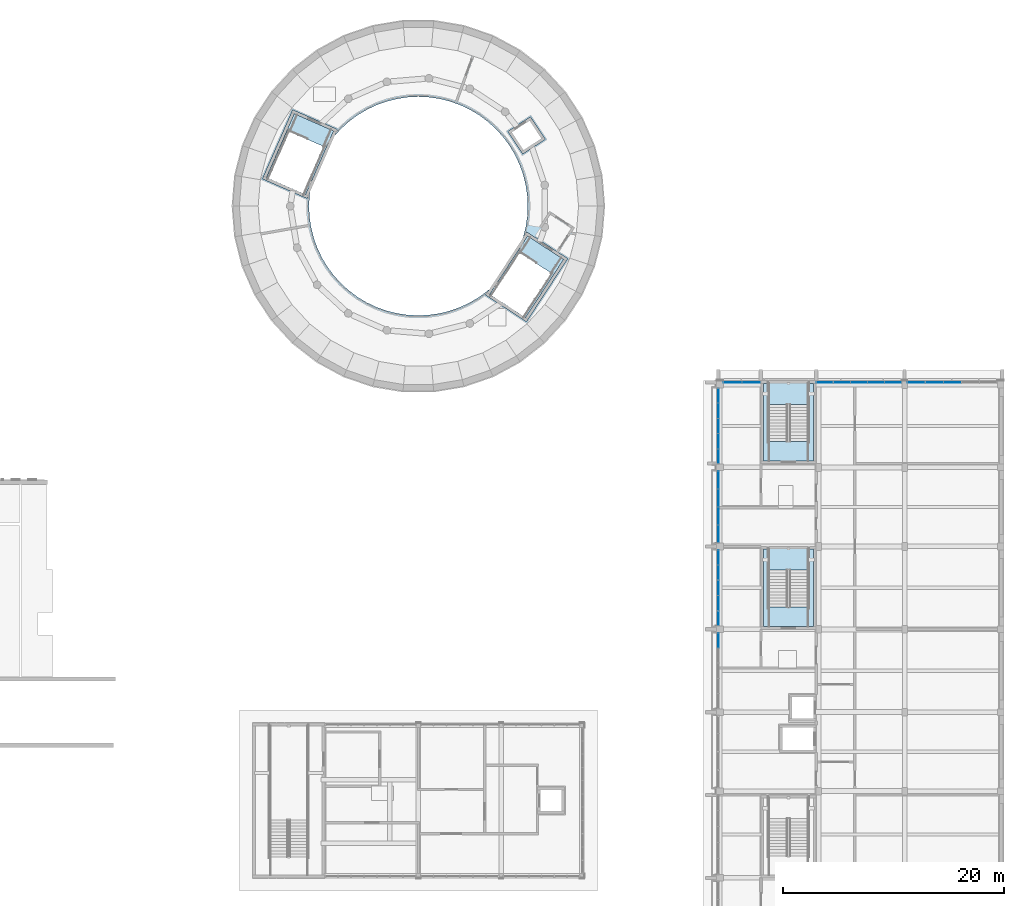
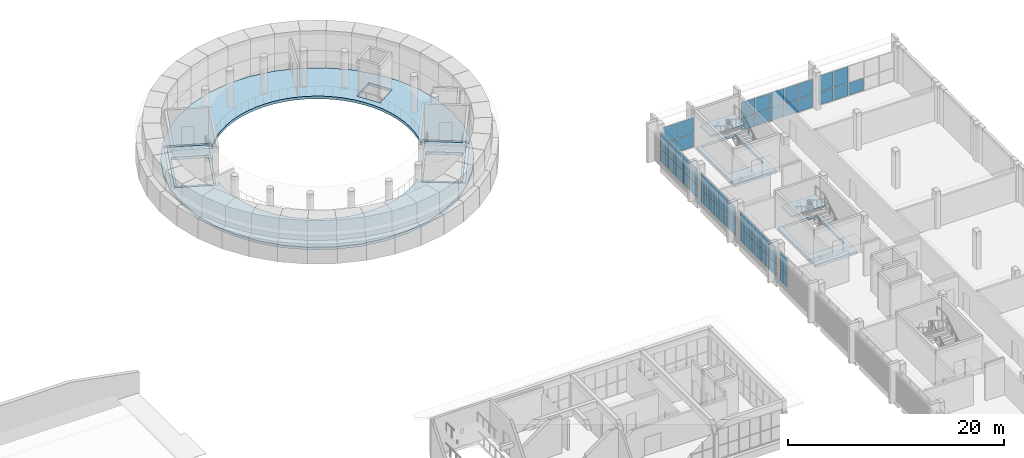
# One storey, part 44 of 92: 49 plates, 7 slabs, 9 elements without a shape of their own.
"""IFC4 building model written with IfcOpenShell, lengths in metres."""

from ifc_helpers import new_model, si_unit, direction, frame, origin, origin_2d, place, context, subcontext, project, spatial, polyline, rectangle, outline, extrude, material, layer, layer_set, type_object, element, aggregate, save


model = new_model("IFC4")

# Units and contexts
model_context = context("Model", 3, precision=1e-05, world=origin(), true_north=direction((0.0, 1.0)))
body_context = subcontext(model_context, "Body", "Model", "MODEL_VIEW")
ifc_project = project(units=[si_unit("LENGTHUNIT", "METRE"), si_unit("AREAUNIT", "SQUARE_METRE"), si_unit("VOLUMEUNIT", "CUBIC_METRE"), si_unit("PLANEANGLEUNIT", "RADIAN"), si_unit("MASSUNIT", "GRAM", prefix="KILO")], contexts=[model_context])

# Site, building, storey
site_placement = place(None, origin())
site = spatial("IfcSite", under=ifc_project, at=site_placement, CompositionType="ELEMENT")
building_placement = place(site_placement, origin())
building = spatial("IfcBuilding", under=site, at=building_placement, Name="Sun Court Science Centre", CompositionType="ELEMENT")
storey_placement = place(building_placement, frame((0.0, 0.0, 11.25)))
storey = spatial("IfcBuildingStorey", under=building, at=storey_placement, Name="L02", CompositionType="ELEMENT", Elevation=11.25)

# Slabs
ifc_material_1 = material(Name="Concrete C25/30", Category="concrete")
ifc_layer_1 = layer(ifc_material_1, 0.300048828125)
ifc_layer_set_1 = layer_set([ifc_layer_1], Name="Concrete C25/30")
slab_type_1 = type_object("IfcSlabType", Name="RC floor slab 300", PredefinedType="FLOOR", material=ifc_layer_set_1)
slab_1_placement = place(storey_placement, frame((0.0, 0.0, -0.300048828125)))
element("IfcSlab", 1, at=slab_1_placement, inside=storey, type_object=slab_type_1, Name="Stair SL3 landing slab L02", PredefinedType="FLOOR", context=body_context, shape_type="SweptSolid", body=[
    extrude(outline(polyline([(82.25, 65.75), (82.25, 58.75), (86.75, 58.75), (86.75, 65.75), (82.25, 65.75)]), holes=[polyline([(86.322998046875, 65.7451171875), (86.322998046875, 60.5029296875), (82.677001953125, 60.5029296875), (82.677001953125, 65.7451171875), (86.322998046875, 65.7451171875)])]), origin(), (0.0, 0.0, 1.0), 0.300048828125),
])
slab_2_placement = place(storey_placement, frame((0.0, 0.0, -0.300048828125)))
element("IfcSlab", 2, at=slab_2_placement, inside=storey, type_object=slab_type_1, Name="Stair SL4 landing slab L02", PredefinedType="FLOOR", context=body_context, shape_type="SweptSolid", body=[
    extrude(outline(polyline([(82.25, 80.75), (82.25, 73.75), (86.75, 73.75), (86.75, 80.75), (82.25, 80.75)]), holes=[polyline([(86.322998046875, 80.7451171875), (86.322998046875, 75.5029296875), (82.677001953125, 75.5029296875), (82.677001953125, 80.7451171875), (86.322998046875, 80.7451171875)])]), origin(), (0.0, 0.0, 1.0), 0.300048828125),
])
slab_3_placement = place(storey_placement, frame((0.0, 0.0, -0.300048828125)))
element("IfcSlab", 3, at=slab_3_placement, inside=storey, type_object=slab_type_1, Name="Floor slab L02", PredefinedType="FLOOR", context=body_context, shape_type="SweptSolid", body=[
    extrude(outline(polyline([(65.300537109375, 94.41357421875), (65.498291015625, 96.800048828125), (65.300537109375, 99.186279296875), (64.712646484375, 101.507568359375), (63.7509765625, 103.700439453125), (62.441162109375, 105.705078125), (60.8193359375, 107.466796875), (58.929931640625, 108.9375), (56.823974609375, 110.0771484375), (54.55908203125, 110.854736328125), (52.197265625, 111.248779296875), (49.802734375, 111.248779296875), (47.44091796875, 110.854736328125), (45.176025390625, 110.0771484375), (43.070068359375, 108.9375), (41.1806640625, 107.466796875), (39.558837890625, 105.705078125), (38.2490234375, 103.700439453125), (37.287353515625, 101.507568359375), (36.699462890625, 99.186279296875), (36.501708984375, 96.800048828125), (36.699462890625, 94.41357421875), (37.287353515625, 92.092529296875), (38.2490234375, 89.899658203125), (39.558837890625, 87.89501953125), (41.1806640625, 86.13330078125), (43.070068359375, 84.66259765625), (45.176025390625, 83.52294921875), (47.44091796875, 82.745361328125), (49.802734375, 82.351318359375), (52.197265625, 82.351318359375), (54.55908203125, 82.745361328125), (56.823974609375, 83.52294921875), (58.929931640625, 84.66259765625), (60.8193359375, 86.13330078125), (62.441162109375, 87.89501953125), (63.7509765625, 89.899658203125), (64.712646484375, 92.092529296875), (65.300537109375, 94.41357421875)]), holes=[polyline([(60.709716796875, 98.7314453125), (60.852294921875, 97.770263671875), (60.89990234375, 96.800048828125), (60.852294921875, 95.82958984375), (60.709716796875, 94.86865234375), (60.475830078125, 93.934814453125), (60.812744140625, 94.450439453125), (64.496337890625, 92.043701171875), (60.777099609375, 86.35107421875), (57.093505859375, 88.757568359375), (57.446044921875, 89.297119140625), (57.280517578125, 89.147216796875), (56.500244140625, 88.568359375), (55.666748046875, 88.069091796875), (54.78857421875, 87.653564453125), (53.873779296875, 87.326171875), (52.931396484375, 87.09033203125), (51.970458984375, 86.94775390625), (51.0, 86.89990234375), (50.029541015625, 86.94775390625), (49.068603515625, 87.09033203125), (48.126220703125, 87.326171875), (47.21142578125, 87.653564453125), (46.333251953125, 88.069091796875), (45.499755859375, 88.568359375), (44.719482421875, 89.147216796875), (43.999755859375, 89.799560546875), (43.34716796875, 90.51953125), (42.7685546875, 91.2998046875), (42.26904296875, 92.133056640625), (41.853515625, 93.011474609375), (41.5263671875, 93.92626953125), (41.290283203125, 94.86865234375), (41.147705078125, 95.82958984375), (41.10009765625, 96.800048828125), (41.147705078125, 97.770263671875), (41.196533203125, 98.100341796875), (40.934326171875, 97.50244140625), (36.905029296875, 99.27001953125), (39.636474609375, 105.497314453125), (43.666015625, 103.729736328125), (43.412841796875, 103.153076171875), (43.999755859375, 103.80029296875), (44.719482421875, 104.452880859375), (45.499755859375, 105.031494140625), (46.333251953125, 105.531005859375), (47.21142578125, 105.9462890625), (48.126220703125, 106.273681640625), (49.068603515625, 106.509765625), (50.029541015625, 106.65234375), (51.0, 106.699951171875), (51.970458984375, 106.65234375), (52.931396484375, 106.509765625), (53.873779296875, 106.273681640625), (54.78857421875, 105.9462890625), (55.666748046875, 105.531005859375), (56.500244140625, 105.031494140625), (57.280517578125, 104.452880859375), (58.000244140625, 103.80029296875), (58.65283203125, 103.08056640625), (59.2314453125, 102.300048828125), (59.73095703125, 101.466796875), (60.146484375, 100.588623046875), (60.4736328125, 99.673828125), (60.709716796875, 98.7314453125)]), polyline([(59.11669921875, 103.55126953125), (61.146728515625, 104.87744140625), (62.47314453125, 102.847412109375), (60.44287109375, 101.52099609375), (59.11669921875, 103.55126953125)])]), origin(), (0.0, 0.0, 1.0), 0.300048828125),
])
slab_4_placement = place(storey_placement, frame((0.0, 0.0, -0.300048828125)))
element("IfcSlab", 4, at=slab_4_placement, inside=storey, type_object=slab_type_1, Name="Stair PS1 landing slab L02", PredefinedType="FLOOR", context=body_context, shape_type="SweptSolid", body=[
    extrude(outline(polyline([(60.88525390625, 94.104248046875), (57.439453125, 88.830078125), (60.704345703125, 86.697021484375), (64.150146484375, 91.97119140625), (60.88525390625, 94.104248046875)]), holes=[polyline([(57.63232421875, 88.710205078125), (60.171142578125, 92.596435546875), (63.05615234375, 90.711669921875), (60.51708984375, 86.825439453125), (57.63232421875, 88.710205078125)])]), origin(), (0.0, 0.0, 1.0), 0.300048828125),
])
slab_5_placement = place(storey_placement, frame((0.0, 0.0, -0.300048828125)))
element("IfcSlab", 5, at=slab_5_placement, inside=storey, type_object=slab_type_1, Name="Stair PS2 landing slab L02", PredefinedType="FLOOR", context=body_context, shape_type="SweptSolid", body=[
    extrude(outline(polyline([(40.805908203125, 97.831787109375), (43.336669921875, 103.601318359375), (39.76513671875, 105.167724609375), (37.234375, 99.3984375), (40.805908203125, 97.831787109375)]), holes=[polyline([(37.4443359375, 99.311767578125), (39.308837890625, 103.56298828125), (42.464599609375, 102.1787109375), (40.60009765625, 97.927490234375), (37.4443359375, 99.311767578125)])]), origin(), (0.0, 0.0, 1.0), 0.300048828125),
])

# Curtain wall, plates
ifc_material_2 = material(Name="Aluminium EN AW-6063 T6", Category="aluminium")
curtain_wall_type = type_object("IfcCurtainWallType", Name="Laboratory tall bay curtain wall 1500", PredefinedType="NOTDEFINED", material=ifc_material_2)
curtain_wall_1_placement = place(storey_placement, origin())
curtain_wall_1 = element("IfcCurtainWall", 6, at=curtain_wall_1_placement, inside=storey, type_object=curtain_wall_type, Name="Curtain wall V4 W L02 06", PredefinedType="NOTDEFINED")
ifc_material_3 = material(Name="Solar-control glass", Category="glass")
ifc_layer_2 = layer(ifc_material_3, 0.028076171875)
ifc_layer_set_2 = layer_set([ifc_layer_2], Name="Solar-control glass")
plate_type = type_object("IfcPlateType", Name="Solar-control glazing panel 8-12-8", PredefinedType="CURTAIN_PANEL", material=ifc_layer_set_2)
plate_1_placement = place(storey_placement, frame((78.14990234375, 57.4951171875, 0.06005859375), z_axis=(0.0, 0.0, 1.0), x_axis=(0.0, 1.0, 0.0)))
plate_1 = element("IfcPlate", 7, at=plate_1_placement, type_object=plate_type, Name="CW2-24 panel 5.1", PredefinedType="CURTAIN_PANEL", context=body_context, shape_type="SweptSolid", body=[
    extrude(rectangle(XDim=1.2900390625, YDim=0.028076171875, at=origin_2d()), origin(), (0.0, 0.0, 1.0), 1.409912109375),
])
plate_2_placement = place(storey_placement, frame((78.14990234375, 57.4951171875, 1.530029296875), z_axis=(0.0, 0.0, 1.0), x_axis=(0.0, 1.0, 0.0)))
plate_2 = element("IfcPlate", 8, at=plate_2_placement, type_object=plate_type, Name="CW2-24 panel 5.2", PredefinedType="CURTAIN_PANEL", context=body_context, shape_type="SweptSolid", body=[
    extrude(rectangle(XDim=1.2900390625, YDim=0.028076171875, at=origin_2d()), origin(), (0.0, 0.0, 1.0), 1.81005859375),
])
aggregate(curtain_wall_1, [plate_1, plate_2])

curtain_wall_2_placement = place(storey_placement, origin())
curtain_wall_2 = element("IfcCurtainWall", 9, at=curtain_wall_2_placement, inside=storey, type_object=curtain_wall_type, Name="Curtain wall V4 W L02 07", PredefinedType="NOTDEFINED")
plate_3_placement = place(storey_placement, frame((78.14990234375, 59.5048828125, 0.06005859375), z_axis=(0.0, 0.0, 1.0), x_axis=(0.0, 1.0, 0.0)))
plate_3 = element("IfcPlate", 10, at=plate_3_placement, type_object=plate_type, Name="CW2-25 panel 1.1", PredefinedType="CURTAIN_PANEL", context=body_context, shape_type="SweptSolid", body=[
    extrude(rectangle(XDim=1.2900390625, YDim=0.028076171875, at=origin_2d()), origin(), (0.0, 0.0, 1.0), 1.409912109375),
])
plate_4_placement = place(storey_placement, frame((78.14990234375, 60.8701171875, 0.06005859375), z_axis=(0.0, 0.0, 1.0), x_axis=(0.0, 1.0, 0.0)))
plate_4 = element("IfcPlate", 11, at=plate_4_placement, type_object=plate_type, Name="CW2-25 panel 2.1", PredefinedType="CURTAIN_PANEL", context=body_context, shape_type="SweptSolid", body=[
    extrude(rectangle(XDim=1.320068359375, YDim=0.028076171875, at=origin_2d()), origin(), (0.0, 0.0, 1.0), 1.409912109375),
])
plate_5_placement = place(storey_placement, frame((78.14990234375, 62.25, 0.06005859375), z_axis=(0.0, 0.0, 1.0), x_axis=(0.0, 1.0, 0.0)))
plate_5 = element("IfcPlate", 12, at=plate_5_placement, type_object=plate_type, Name="CW2-25 panel 3.1", PredefinedType="CURTAIN_PANEL", context=body_context, shape_type="SweptSolid", body=[
    extrude(rectangle(XDim=1.320068359375, YDim=0.028076171875, at=origin_2d()), origin(), (0.0, 0.0, 1.0), 1.409912109375),
])
plate_6_placement = place(storey_placement, frame((78.14990234375, 63.6298828125, 0.06005859375), z_axis=(0.0, 0.0, 1.0), x_axis=(0.0, 1.0, 0.0)))
plate_6 = element("IfcPlate", 13, at=plate_6_placement, type_object=plate_type, Name="CW2-25 panel 4.1", PredefinedType="CURTAIN_PANEL", context=body_context, shape_type="SweptSolid", body=[
    extrude(rectangle(XDim=1.320068359375, YDim=0.028076171875, at=origin_2d()), origin(), (0.0, 0.0, 1.0), 1.409912109375),
])
plate_7_placement = place(storey_placement, frame((78.14990234375, 64.9951171875, 0.06005859375), z_axis=(0.0, 0.0, 1.0), x_axis=(0.0, 1.0, 0.0)))
plate_7 = element("IfcPlate", 14, at=plate_7_placement, type_object=plate_type, Name="CW2-25 panel 5.1", PredefinedType="CURTAIN_PANEL", context=body_context, shape_type="SweptSolid", body=[
    extrude(rectangle(XDim=1.2900390625, YDim=0.028076171875, at=origin_2d()), origin(), (0.0, 0.0, 1.0), 1.409912109375),
])
plate_8_placement = place(storey_placement, frame((78.14990234375, 59.5048828125, 1.530029296875), z_axis=(0.0, 0.0, 1.0), x_axis=(0.0, 1.0, 0.0)))
plate_8 = element("IfcPlate", 15, at=plate_8_placement, type_object=plate_type, Name="CW2-25 panel 1.2", PredefinedType="CURTAIN_PANEL", context=body_context, shape_type="SweptSolid", body=[
    extrude(rectangle(XDim=1.2900390625, YDim=0.028076171875, at=origin_2d()), origin(), (0.0, 0.0, 1.0), 1.81005859375),
])
plate_9_placement = place(storey_placement, frame((78.14990234375, 60.8701171875, 1.530029296875), z_axis=(0.0, 0.0, 1.0), x_axis=(0.0, 1.0, 0.0)))
plate_9 = element("IfcPlate", 16, at=plate_9_placement, type_object=plate_type, Name="CW2-25 panel 2.2", PredefinedType="CURTAIN_PANEL", context=body_context, shape_type="SweptSolid", body=[
    extrude(rectangle(XDim=1.320068359375, YDim=0.028076171875, at=origin_2d()), origin(), (0.0, 0.0, 1.0), 1.81005859375),
])
plate_10_placement = place(storey_placement, frame((78.14990234375, 62.25, 1.530029296875), z_axis=(0.0, 0.0, 1.0), x_axis=(0.0, 1.0, 0.0)))
plate_10 = element("IfcPlate", 17, at=plate_10_placement, type_object=plate_type, Name="CW2-25 panel 3.2", PredefinedType="CURTAIN_PANEL", context=body_context, shape_type="SweptSolid", body=[
    extrude(rectangle(XDim=1.320068359375, YDim=0.028076171875, at=origin_2d()), origin(), (0.0, 0.0, 1.0), 1.81005859375),
])
plate_11_placement = place(storey_placement, frame((78.14990234375, 63.6298828125, 1.530029296875), z_axis=(0.0, 0.0, 1.0), x_axis=(0.0, 1.0, 0.0)))
plate_11 = element("IfcPlate", 18, at=plate_11_placement, type_object=plate_type, Name="CW2-25 panel 4.2", PredefinedType="CURTAIN_PANEL", context=body_context, shape_type="SweptSolid", body=[
    extrude(rectangle(XDim=1.320068359375, YDim=0.028076171875, at=origin_2d()), origin(), (0.0, 0.0, 1.0), 1.81005859375),
])
plate_12_placement = place(storey_placement, frame((78.14990234375, 64.9951171875, 1.530029296875), z_axis=(0.0, 0.0, 1.0), x_axis=(0.0, 1.0, 0.0)))
plate_12 = element("IfcPlate", 19, at=plate_12_placement, type_object=plate_type, Name="CW2-25 panel 5.2", PredefinedType="CURTAIN_PANEL", context=body_context, shape_type="SweptSolid", body=[
    extrude(rectangle(XDim=1.2900390625, YDim=0.028076171875, at=origin_2d()), origin(), (0.0, 0.0, 1.0), 1.81005859375),
])
aggregate(curtain_wall_2, [plate_3, plate_4, plate_5, plate_6, plate_7, plate_8, plate_9, plate_10, plate_11, plate_12])

curtain_wall_3_placement = place(storey_placement, origin())
curtain_wall_3 = element("IfcCurtainWall", 20, at=curtain_wall_3_placement, inside=storey, type_object=curtain_wall_type, Name="Curtain wall V4 W L02 08", PredefinedType="NOTDEFINED")
plate_13_placement = place(storey_placement, frame((78.14990234375, 67.1337890625, 0.06005859375), z_axis=(0.0, 0.0, 1.0), x_axis=(0.0, 1.0, 0.0)))
plate_13 = element("IfcPlate", 21, at=plate_13_placement, type_object=plate_type, Name="CW2-26 panel 1.1", PredefinedType="CURTAIN_PANEL", context=body_context, shape_type="SweptSolid", body=[
    extrude(rectangle(XDim=1.547607421875, YDim=0.028076171875, at=origin_2d()), origin(), (0.0, 0.0, 1.0), 1.409912109375),
])
plate_14_placement = place(storey_placement, frame((78.14990234375, 68.75634765625, 0.06005859375), z_axis=(0.0, 0.0, 1.0), x_axis=(0.0, 1.0, 0.0)))
plate_14 = element("IfcPlate", 22, at=plate_14_placement, type_object=plate_type, Name="CW2-26 panel 2.1", PredefinedType="CURTAIN_PANEL", context=body_context, shape_type="SweptSolid", body=[
    extrude(rectangle(XDim=1.577392578125, YDim=0.028076171875, at=origin_2d()), origin(), (0.0, 0.0, 1.0), 1.409912109375),
])
plate_15_placement = place(storey_placement, frame((78.14990234375, 70.393798828125, 0.06005859375), z_axis=(0.0, 0.0, 1.0), x_axis=(0.0, 1.0, 0.0)))
plate_15 = element("IfcPlate", 23, at=plate_15_placement, type_object=plate_type, Name="CW2-26 panel 3.1", PredefinedType="CURTAIN_PANEL", context=body_context, shape_type="SweptSolid", body=[
    extrude(rectangle(XDim=1.577392578125, YDim=0.028076171875, at=origin_2d()), origin(), (0.0, 0.0, 1.0), 1.409912109375),
])
plate_16_placement = place(storey_placement, frame((78.14990234375, 72.016357421875, 0.06005859375), z_axis=(0.0, 0.0, 1.0), x_axis=(0.0, 1.0, 0.0)))
plate_16 = element("IfcPlate", 24, at=plate_16_placement, type_object=plate_type, Name="CW2-26 panel 4.1", PredefinedType="CURTAIN_PANEL", context=body_context, shape_type="SweptSolid", body=[
    extrude(rectangle(XDim=1.547607421875, YDim=0.028076171875, at=origin_2d()), origin(), (0.0, 0.0, 1.0), 1.409912109375),
])
plate_17_placement = place(storey_placement, frame((78.14990234375, 67.1337890625, 1.530029296875), z_axis=(0.0, 0.0, 1.0), x_axis=(0.0, 1.0, 0.0)))
plate_17 = element("IfcPlate", 25, at=plate_17_placement, type_object=plate_type, Name="CW2-26 panel 1.2", PredefinedType="CURTAIN_PANEL", context=body_context, shape_type="SweptSolid", body=[
    extrude(rectangle(XDim=1.547607421875, YDim=0.028076171875, at=origin_2d()), origin(), (0.0, 0.0, 1.0), 1.81005859375),
])
plate_18_placement = place(storey_placement, frame((78.14990234375, 68.75634765625, 1.530029296875), z_axis=(0.0, 0.0, 1.0), x_axis=(0.0, 1.0, 0.0)))
plate_18 = element("IfcPlate", 26, at=plate_18_placement, type_object=plate_type, Name="CW2-26 panel 2.2", PredefinedType="CURTAIN_PANEL", context=body_context, shape_type="SweptSolid", body=[
    extrude(rectangle(XDim=1.577392578125, YDim=0.028076171875, at=origin_2d()), origin(), (0.0, 0.0, 1.0), 1.81005859375),
])
plate_19_placement = place(storey_placement, frame((78.14990234375, 70.393798828125, 1.530029296875), z_axis=(0.0, 0.0, 1.0), x_axis=(0.0, 1.0, 0.0)))
plate_19 = element("IfcPlate", 27, at=plate_19_placement, type_object=plate_type, Name="CW2-26 panel 3.2", PredefinedType="CURTAIN_PANEL", context=body_context, shape_type="SweptSolid", body=[
    extrude(rectangle(XDim=1.577392578125, YDim=0.028076171875, at=origin_2d()), origin(), (0.0, 0.0, 1.0), 1.81005859375),
])
plate_20_placement = place(storey_placement, frame((78.14990234375, 72.016357421875, 1.530029296875), z_axis=(0.0, 0.0, 1.0), x_axis=(0.0, 1.0, 0.0)))
plate_20 = element("IfcPlate", 28, at=plate_20_placement, type_object=plate_type, Name="CW2-26 panel 4.2", PredefinedType="CURTAIN_PANEL", context=body_context, shape_type="SweptSolid", body=[
    extrude(rectangle(XDim=1.547607421875, YDim=0.028076171875, at=origin_2d()), origin(), (0.0, 0.0, 1.0), 1.81005859375),
])
aggregate(curtain_wall_3, [plate_13, plate_14, plate_15, plate_16, plate_17, plate_18, plate_19, plate_20])

curtain_wall_4_placement = place(storey_placement, origin())
curtain_wall_4 = element("IfcCurtainWall", 29, at=curtain_wall_4_placement, inside=storey, type_object=curtain_wall_type, Name="Curtain wall V4 W L02 09", PredefinedType="NOTDEFINED")
plate_21_placement = place(storey_placement, frame((78.14990234375, 74.155029296875, 0.06005859375), z_axis=(0.0, 0.0, 1.0), x_axis=(0.0, 1.0, 0.0)))
plate_21 = element("IfcPlate", 30, at=plate_21_placement, type_object=plate_type, Name="CW2-27 panel 1.1", PredefinedType="CURTAIN_PANEL", context=body_context, shape_type="SweptSolid", body=[
    extrude(rectangle(XDim=1.2900390625, YDim=0.028076171875, at=origin_2d()), origin(), (0.0, 0.0, 1.0), 1.409912109375),
])
plate_22_placement = place(storey_placement, frame((78.14990234375, 75.52001953125, 0.06005859375), z_axis=(0.0, 0.0, 1.0), x_axis=(0.0, 1.0, 0.0)))
plate_22 = element("IfcPlate", 31, at=plate_22_placement, type_object=plate_type, Name="CW2-27 panel 2.1", PredefinedType="CURTAIN_PANEL", context=body_context, shape_type="SweptSolid", body=[
    extrude(rectangle(XDim=1.320068359375, YDim=0.028076171875, at=origin_2d()), origin(), (0.0, 0.0, 1.0), 1.409912109375),
])
plate_23_placement = place(storey_placement, frame((78.14990234375, 76.89990234375, 0.06005859375), z_axis=(0.0, 0.0, 1.0), x_axis=(0.0, 1.0, 0.0)))
plate_23 = element("IfcPlate", 32, at=plate_23_placement, type_object=plate_type, Name="CW2-27 panel 3.1", PredefinedType="CURTAIN_PANEL", context=body_context, shape_type="SweptSolid", body=[
    extrude(rectangle(XDim=1.320068359375, YDim=0.028076171875, at=origin_2d()), origin(), (0.0, 0.0, 1.0), 1.409912109375),
])
plate_24_placement = place(storey_placement, frame((78.14990234375, 78.280029296875, 0.06005859375), z_axis=(0.0, 0.0, 1.0), x_axis=(0.0, 1.0, 0.0)))
plate_24 = element("IfcPlate", 33, at=plate_24_placement, type_object=plate_type, Name="CW2-27 panel 4.1", PredefinedType="CURTAIN_PANEL", context=body_context, shape_type="SweptSolid", body=[
    extrude(rectangle(XDim=1.320068359375, YDim=0.028076171875, at=origin_2d()), origin(), (0.0, 0.0, 1.0), 1.409912109375),
])
plate_25_placement = place(storey_placement, frame((78.14990234375, 79.64501953125, 0.06005859375), z_axis=(0.0, 0.0, 1.0), x_axis=(0.0, 1.0, 0.0)))
plate_25 = element("IfcPlate", 34, at=plate_25_placement, type_object=plate_type, Name="CW2-27 panel 5.1", PredefinedType="CURTAIN_PANEL", context=body_context, shape_type="SweptSolid", body=[
    extrude(rectangle(XDim=1.2900390625, YDim=0.028076171875, at=origin_2d()), origin(), (0.0, 0.0, 1.0), 1.409912109375),
])
plate_26_placement = place(storey_placement, frame((78.14990234375, 74.155029296875, 1.530029296875), z_axis=(0.0, 0.0, 1.0), x_axis=(0.0, 1.0, 0.0)))
plate_26 = element("IfcPlate", 35, at=plate_26_placement, type_object=plate_type, Name="CW2-27 panel 1.2", PredefinedType="CURTAIN_PANEL", context=body_context, shape_type="SweptSolid", body=[
    extrude(rectangle(XDim=1.2900390625, YDim=0.028076171875, at=origin_2d()), origin(), (0.0, 0.0, 1.0), 1.81005859375),
])
plate_27_placement = place(storey_placement, frame((78.14990234375, 75.52001953125, 1.530029296875), z_axis=(0.0, 0.0, 1.0), x_axis=(0.0, 1.0, 0.0)))
plate_27 = element("IfcPlate", 36, at=plate_27_placement, type_object=plate_type, Name="CW2-27 panel 2.2", PredefinedType="CURTAIN_PANEL", context=body_context, shape_type="SweptSolid", body=[
    extrude(rectangle(XDim=1.320068359375, YDim=0.028076171875, at=origin_2d()), origin(), (0.0, 0.0, 1.0), 1.81005859375),
])
plate_28_placement = place(storey_placement, frame((78.14990234375, 76.89990234375, 1.530029296875), z_axis=(0.0, 0.0, 1.0), x_axis=(0.0, 1.0, 0.0)))
plate_28 = element("IfcPlate", 37, at=plate_28_placement, type_object=plate_type, Name="CW2-27 panel 3.2", PredefinedType="CURTAIN_PANEL", context=body_context, shape_type="SweptSolid", body=[
    extrude(rectangle(XDim=1.320068359375, YDim=0.028076171875, at=origin_2d()), origin(), (0.0, 0.0, 1.0), 1.81005859375),
])
plate_29_placement = place(storey_placement, frame((78.14990234375, 78.280029296875, 1.530029296875), z_axis=(0.0, 0.0, 1.0), x_axis=(0.0, 1.0, 0.0)))
plate_29 = element("IfcPlate", 38, at=plate_29_placement, type_object=plate_type, Name="CW2-27 panel 4.2", PredefinedType="CURTAIN_PANEL", context=body_context, shape_type="SweptSolid", body=[
    extrude(rectangle(XDim=1.320068359375, YDim=0.028076171875, at=origin_2d()), origin(), (0.0, 0.0, 1.0), 1.81005859375),
])
plate_30_placement = place(storey_placement, frame((78.14990234375, 79.64501953125, 1.530029296875), z_axis=(0.0, 0.0, 1.0), x_axis=(0.0, 1.0, 0.0)))
plate_30 = element("IfcPlate", 39, at=plate_30_placement, type_object=plate_type, Name="CW2-27 panel 5.2", PredefinedType="CURTAIN_PANEL", context=body_context, shape_type="SweptSolid", body=[
    extrude(rectangle(XDim=1.2900390625, YDim=0.028076171875, at=origin_2d()), origin(), (0.0, 0.0, 1.0), 1.81005859375),
])
aggregate(curtain_wall_4, [plate_21, plate_22, plate_23, plate_24, plate_25, plate_26, plate_27, plate_28, plate_29, plate_30])

curtain_wall_5_placement = place(storey_placement, origin())
curtain_wall_5 = element("IfcCurtainWall", 40, at=curtain_wall_5_placement, inside=storey, type_object=curtain_wall_type, Name="Curtain wall V4 N L02 01", PredefinedType="NOTDEFINED")
plate_31_placement = place(storey_placement, frame((79.465087890625, 80.85009765625, 0.06005859375), z_axis=(0.0, 0.0, 1.0), x_axis=(1.0, 0.0, 0.0)))
plate_31 = element("IfcPlate", 41, at=plate_31_placement, type_object=plate_type, Name="CW2-67 panel 1.1", PredefinedType="CURTAIN_PANEL", context=body_context, shape_type="SweptSolid", body=[
    extrude(rectangle(XDim=1.610107421875, YDim=0.028076171875, at=origin_2d()), origin(), (0.0, 0.0, 1.0), 1.409912109375),
])
plate_32_placement = place(storey_placement, frame((81.135009765625, 80.85009765625, 0.06005859375), z_axis=(0.0, 0.0, 1.0), x_axis=(1.0, 0.0, 0.0)))
plate_32 = element("IfcPlate", 42, at=plate_32_placement, type_object=plate_type, Name="CW2-67 panel 2.1", PredefinedType="CURTAIN_PANEL", context=body_context, shape_type="SweptSolid", body=[
    extrude(rectangle(XDim=1.610107421875, YDim=0.028076171875, at=origin_2d()), origin(), (0.0, 0.0, 1.0), 1.409912109375),
])
plate_33_placement = place(storey_placement, frame((79.465087890625, 80.85009765625, 1.530029296875), z_axis=(0.0, 0.0, 1.0), x_axis=(1.0, 0.0, 0.0)))
plate_33 = element("IfcPlate", 43, at=plate_33_placement, type_object=plate_type, Name="CW2-67 panel 1.2", PredefinedType="CURTAIN_PANEL", context=body_context, shape_type="SweptSolid", body=[
    extrude(rectangle(XDim=1.610107421875, YDim=0.028076171875, at=origin_2d()), origin(), (0.0, 0.0, 1.0), 1.81005859375),
])
plate_34_placement = place(storey_placement, frame((81.135009765625, 80.85009765625, 1.530029296875), z_axis=(0.0, 0.0, 1.0), x_axis=(1.0, 0.0, 0.0)))
plate_34 = element("IfcPlate", 44, at=plate_34_placement, type_object=plate_type, Name="CW2-67 panel 2.2", PredefinedType="CURTAIN_PANEL", context=body_context, shape_type="SweptSolid", body=[
    extrude(rectangle(XDim=1.610107421875, YDim=0.028076171875, at=origin_2d()), origin(), (0.0, 0.0, 1.0), 1.81005859375),
])
aggregate(curtain_wall_5, [plate_31, plate_32, plate_33, plate_34])

curtain_wall_6_placement = place(storey_placement, origin())
curtain_wall_6 = element("IfcCurtainWall", 45, at=curtain_wall_6_placement, inside=storey, type_object=curtain_wall_type, Name="Curtain wall V4 N L02 02", PredefinedType="NOTDEFINED")
plate_35_placement = place(storey_placement, frame((87.7900390625, 80.85009765625, 0.06005859375), z_axis=(0.0, 0.0, 1.0), x_axis=(1.0, 0.0, 0.0)))
plate_35 = element("IfcPlate", 46, at=plate_35_placement, type_object=plate_type, Name="CW2-68 panel 1.1", PredefinedType="CURTAIN_PANEL", context=body_context, shape_type="SweptSolid", body=[
    extrude(rectangle(XDim=1.4599609375, YDim=0.028076171875, at=origin_2d()), origin(), (0.0, 0.0, 1.0), 1.409912109375),
])
plate_36_placement = place(storey_placement, frame((89.324951171875, 80.85009765625, 0.06005859375), z_axis=(0.0, 0.0, 1.0), x_axis=(1.0, 0.0, 0.0)))
plate_36 = element("IfcPlate", 47, at=plate_36_placement, type_object=plate_type, Name="CW2-68 panel 2.1", PredefinedType="CURTAIN_PANEL", context=body_context, shape_type="SweptSolid", body=[
    extrude(rectangle(XDim=1.489990234375, YDim=0.028076171875, at=origin_2d()), origin(), (0.0, 0.0, 1.0), 1.409912109375),
])
plate_37_placement = place(storey_placement, frame((90.875, 80.85009765625, 0.06005859375), z_axis=(0.0, 0.0, 1.0), x_axis=(1.0, 0.0, 0.0)))
plate_37 = element("IfcPlate", 48, at=plate_37_placement, type_object=plate_type, Name="CW2-68 panel 3.1", PredefinedType="CURTAIN_PANEL", context=body_context, shape_type="SweptSolid", body=[
    extrude(rectangle(XDim=1.489990234375, YDim=0.028076171875, at=origin_2d()), origin(), (0.0, 0.0, 1.0), 1.409912109375),
])
plate_38_placement = place(storey_placement, frame((92.425048828125, 80.85009765625, 0.06005859375), z_axis=(0.0, 0.0, 1.0), x_axis=(1.0, 0.0, 0.0)))
plate_38 = element("IfcPlate", 49, at=plate_38_placement, type_object=plate_type, Name="CW2-68 panel 4.1", PredefinedType="CURTAIN_PANEL", context=body_context, shape_type="SweptSolid", body=[
    extrude(rectangle(XDim=1.489990234375, YDim=0.028076171875, at=origin_2d()), origin(), (0.0, 0.0, 1.0), 1.409912109375),
])
plate_39_placement = place(storey_placement, frame((93.9599609375, 80.85009765625, 0.06005859375), z_axis=(0.0, 0.0, 1.0), x_axis=(1.0, 0.0, 0.0)))
plate_39 = element("IfcPlate", 50, at=plate_39_placement, type_object=plate_type, Name="CW2-68 panel 5.1", PredefinedType="CURTAIN_PANEL", context=body_context, shape_type="SweptSolid", body=[
    extrude(rectangle(XDim=1.4599609375, YDim=0.028076171875, at=origin_2d()), origin(), (0.0, 0.0, 1.0), 1.409912109375),
])
plate_40_placement = place(storey_placement, frame((87.7900390625, 80.85009765625, 1.530029296875), z_axis=(0.0, 0.0, 1.0), x_axis=(1.0, 0.0, 0.0)))
plate_40 = element("IfcPlate", 51, at=plate_40_placement, type_object=plate_type, Name="CW2-68 panel 1.2", PredefinedType="CURTAIN_PANEL", context=body_context, shape_type="SweptSolid", body=[
    extrude(rectangle(XDim=1.4599609375, YDim=0.028076171875, at=origin_2d()), origin(), (0.0, 0.0, 1.0), 1.7099609375),
])
plate_41_placement = place(storey_placement, frame((89.324951171875, 80.85009765625, 1.530029296875), z_axis=(0.0, 0.0, 1.0), x_axis=(1.0, 0.0, 0.0)))
plate_41 = element("IfcPlate", 52, at=plate_41_placement, type_object=plate_type, Name="CW2-68 panel 2.2", PredefinedType="CURTAIN_PANEL", context=body_context, shape_type="SweptSolid", body=[
    extrude(rectangle(XDim=1.489990234375, YDim=0.028076171875, at=origin_2d()), origin(), (0.0, 0.0, 1.0), 1.7099609375),
])
plate_42_placement = place(storey_placement, frame((90.875, 80.85009765625, 1.530029296875), z_axis=(0.0, 0.0, 1.0), x_axis=(1.0, 0.0, 0.0)))
plate_42 = element("IfcPlate", 53, at=plate_42_placement, type_object=plate_type, Name="CW2-68 panel 3.2", PredefinedType="CURTAIN_PANEL", context=body_context, shape_type="SweptSolid", body=[
    extrude(rectangle(XDim=1.489990234375, YDim=0.028076171875, at=origin_2d()), origin(), (0.0, 0.0, 1.0), 1.7099609375),
])
plate_43_placement = place(storey_placement, frame((92.425048828125, 80.85009765625, 1.530029296875), z_axis=(0.0, 0.0, 1.0), x_axis=(1.0, 0.0, 0.0)))
plate_43 = element("IfcPlate", 54, at=plate_43_placement, type_object=plate_type, Name="CW2-68 panel 4.2", PredefinedType="CURTAIN_PANEL", context=body_context, shape_type="SweptSolid", body=[
    extrude(rectangle(XDim=1.489990234375, YDim=0.028076171875, at=origin_2d()), origin(), (0.0, 0.0, 1.0), 1.7099609375),
])
plate_44_placement = place(storey_placement, frame((93.9599609375, 80.85009765625, 1.530029296875), z_axis=(0.0, 0.0, 1.0), x_axis=(1.0, 0.0, 0.0)))
plate_44 = element("IfcPlate", 55, at=plate_44_placement, type_object=plate_type, Name="CW2-68 panel 5.2", PredefinedType="CURTAIN_PANEL", context=body_context, shape_type="SweptSolid", body=[
    extrude(rectangle(XDim=1.4599609375, YDim=0.028076171875, at=origin_2d()), origin(), (0.0, 0.0, 1.0), 1.7099609375),
])
aggregate(curtain_wall_6, [plate_35, plate_36, plate_37, plate_38, plate_39, plate_40, plate_41, plate_42, plate_43, plate_44])

curtain_wall_7_placement = place(storey_placement, origin())
curtain_wall_7 = element("IfcCurtainWall", 56, at=curtain_wall_7_placement, inside=storey, type_object=curtain_wall_type, Name="Curtain wall V4 N L02 03", PredefinedType="NOTDEFINED")
plate_45_placement = place(storey_placement, frame((96.080078125, 80.85009765625, 0.06005859375), z_axis=(0.0, 0.0, 1.0), x_axis=(1.0, 0.0, 0.0)))
plate_45 = element("IfcPlate", 57, at=plate_45_placement, type_object=plate_type, Name="CW2-69 panel 1.1", PredefinedType="CURTAIN_PANEL", context=body_context, shape_type="SweptSolid", body=[
    extrude(rectangle(XDim=1.5400390625, YDim=0.028076171875, at=origin_2d()), origin(), (0.0, 0.0, 1.0), 1.409912109375),
])
plate_46_placement = place(storey_placement, frame((97.695068359375, 80.85009765625, 0.06005859375), z_axis=(0.0, 0.0, 1.0), x_axis=(1.0, 0.0, 0.0)))
plate_46 = element("IfcPlate", 58, at=plate_46_placement, type_object=plate_type, Name="CW2-69 panel 2.1", PredefinedType="CURTAIN_PANEL", context=body_context, shape_type="SweptSolid", body=[
    extrude(rectangle(XDim=1.570068359375, YDim=0.028076171875, at=origin_2d()), origin(), (0.0, 0.0, 1.0), 1.409912109375),
])
plate_47_placement = place(storey_placement, frame((99.324951171875, 80.85009765625, 0.06005859375), z_axis=(0.0, 0.0, 1.0), x_axis=(1.0, 0.0, 0.0)))
plate_47 = element("IfcPlate", 59, at=plate_47_placement, type_object=plate_type, Name="CW2-69 panel 3.1", PredefinedType="CURTAIN_PANEL", context=body_context, shape_type="SweptSolid", body=[
    extrude(rectangle(XDim=1.570068359375, YDim=0.028076171875, at=origin_2d()), origin(), (0.0, 0.0, 1.0), 1.409912109375),
])
plate_48_placement = place(storey_placement, frame((96.080078125, 80.85009765625, 1.530029296875), z_axis=(0.0, 0.0, 1.0), x_axis=(1.0, 0.0, 0.0)))
plate_48 = element("IfcPlate", 60, at=plate_48_placement, type_object=plate_type, Name="CW2-69 panel 1.2", PredefinedType="CURTAIN_PANEL", context=body_context, shape_type="SweptSolid", body=[
    extrude(rectangle(XDim=1.5400390625, YDim=0.028076171875, at=origin_2d()), origin(), (0.0, 0.0, 1.0), 1.81005859375),
])
plate_49_placement = place(storey_placement, frame((97.695068359375, 80.85009765625, 1.530029296875), z_axis=(0.0, 0.0, 1.0), x_axis=(1.0, 0.0, 0.0)))
plate_49 = element("IfcPlate", 61, at=plate_49_placement, type_object=plate_type, Name="CW2-69 panel 2.2", PredefinedType="CURTAIN_PANEL", context=body_context, shape_type="SweptSolid", body=[
    extrude(rectangle(XDim=1.570068359375, YDim=0.028076171875, at=origin_2d()), origin(), (0.0, 0.0, 1.0), 1.81005859375),
])
aggregate(curtain_wall_7, [plate_45, plate_46, plate_47, plate_48, plate_49])

# Stair, slab
ifc_material_4 = material(Name="Concrete C25/30", Category="concrete")
stair_type = type_object("IfcStairType", Name="Stair 1500 enclosed half-turn", PredefinedType="HALF_TURN_STAIR", material=ifc_material_4)
stair_1_placement = place(storey_placement, origin())
stair_1 = element("IfcStair", 62, at=stair_1_placement, inside=storey, type_object=stair_type, Name="L02 Stair SL3", PredefinedType="HALF_TURN_STAIR")
ifc_material_5 = material(Name="Concrete C25/30", Category="concrete")
ifc_layer_3 = layer(ifc_material_5, 0.199951171875)
ifc_layer_set_3 = layer_set([ifc_layer_3], Name="Concrete C25/30")
slab_type_2 = type_object("IfcSlabType", Name="Stair landing 200", PredefinedType="LANDING", material=ifc_layer_set_3)
slab_6_placement = place(storey_placement, frame((0.0, 0.0, 2.050048828125)))
slab_6 = element("IfcSlab", 63, at=slab_6_placement, type_object=slab_type_2, Name="SL3 landing 1", PredefinedType="LANDING", context=body_context, shape_type="SweptSolid", body=[
    extrude(outline(polyline([(86.322998046875, 63.85400390625), (86.322998046875, 65.85009765625), (82.677001953125, 65.85009765625), (82.677001953125, 63.85400390625), (86.322998046875, 63.85400390625)])), origin(), (0.0, 0.0, 1.0), 0.199951171875),
])
aggregate(stair_1, [slab_6])

stair_2_placement = place(storey_placement, origin())
stair_2 = element("IfcStair", 64, at=stair_2_placement, inside=storey, type_object=stair_type, Name="L02 Stair SL4", PredefinedType="HALF_TURN_STAIR")
slab_7_placement = place(storey_placement, frame((0.0, 0.0, 2.050048828125)))
slab_7 = element("IfcSlab", 65, at=slab_7_placement, type_object=slab_type_2, Name="SL4 landing 1", PredefinedType="LANDING", context=body_context, shape_type="SweptSolid", body=[
    extrude(outline(polyline([(86.322998046875, 78.85400390625), (86.322998046875, 80.85009765625), (82.677001953125, 80.85009765625), (82.677001953125, 78.85400390625), (86.322998046875, 78.85400390625)])), origin(), (0.0, 0.0, 1.0), 0.199951171875),
])
aggregate(stair_2, [slab_7])

save(model, "model.ifc")
